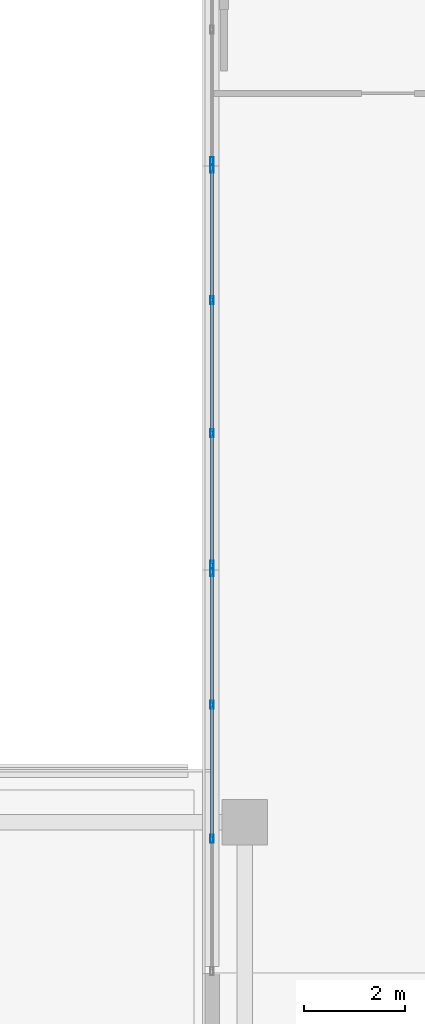
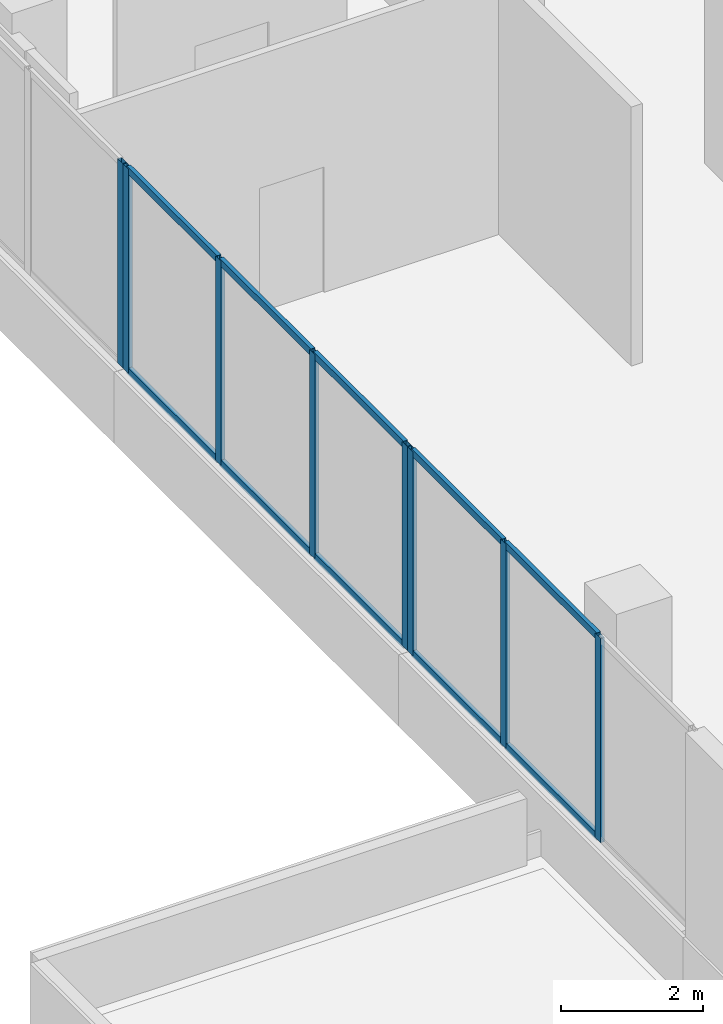
# One storey, part 70 of 168: 18 members, 3 elements without a shape of their own.
"""IFC4 building model written with IfcOpenShell, lengths in metres."""

from ifc_helpers import new_model, si_unit, direction, frame, origin, origin_2d, place, context, subcontext, project, spatial, hollow_rectangle, extrude, material, material_profile, profile_set, type_object, element, aggregate, save


model = new_model("IFC4")

# Units and contexts
model_context = context("Model", 3, precision=1e-05, world=origin(), true_north=direction((0.0, 1.0)))
body_context = subcontext(model_context, "Body", "Model", "MODEL_VIEW")
ifc_project = project(units=[si_unit("LENGTHUNIT", "METRE"), si_unit("AREAUNIT", "SQUARE_METRE"), si_unit("VOLUMEUNIT", "CUBIC_METRE"), si_unit("PLANEANGLEUNIT", "RADIAN"), si_unit("MASSUNIT", "GRAM", prefix="KILO")], contexts=[model_context])

# Site, building, storey
site_placement = place(None, origin())
site = spatial("IfcSite", under=ifc_project, at=site_placement, CompositionType="ELEMENT")
building_placement = place(site_placement, origin())
building = spatial("IfcBuilding", under=site, at=building_placement, Name="Selatvlak General Hospital", CompositionType="ELEMENT")
storey_placement = place(building_placement, frame((0.0, 0.0, 5.39990234375)))
storey = spatial("IfcBuildingStorey", under=building, at=storey_placement, Name="L01", CompositionType="ELEMENT", Elevation=5.39990234375)

# Curtain wall, members
ifc_material_1 = material(Name="Solar-control Low-E double glazing", Category="glass")
curtain_wall_type_1 = type_object("IfcCurtainWallType", Name="CW-CW-01", PredefinedType="USERDEFINED", material=ifc_material_1)
curtain_wall_1_placement = place(storey_placement, origin())
curtain_wall_1 = element("IfcCurtainWall", 1, at=curtain_wall_1_placement, inside=storey, type_object=curtain_wall_type_1, Name="Glazed facade curtain wall CW-L01-0108", ObjectType="UNITISED CURTAIN WALL", PredefinedType="USERDEFINED")
ifc_material_2 = material(Name="Dark anodised aluminium mullion", Category="aluminium")
ifc_material_profile_1 = material_profile(ifc_material_2, hollow_rectangle(XDim=0.06494140625, YDim=0.159912109375, WallThickness=0.00390625, at=origin_2d()), Name="AL-MUL 65x160x4")
ifc_profile_set_1 = profile_set([ifc_material_profile_1], Name="Dark anodised aluminium mullion")
member_type_1 = type_object("IfcMemberType", Name="CWM-01", PredefinedType="MULLION", material=ifc_profile_set_1)
member_1_placement = place(storey_placement, frame((14.39990234375, 90.670654296875, 0.940185546875), z_axis=(0.0, 0.0, 1.0), x_axis=(-1.0, 0.0, 0.0)))
member_1 = element("IfcMember", 2, at=member_1_placement, type_object=member_type_1, Name="CW-01 mullion 2", PredefinedType="MULLION", context=body_context, shape_type="SweptSolid", body=[
    extrude(hollow_rectangle(XDim=0.06494140625, YDim=0.159912109375, WallThickness=0.00390625, at=origin_2d()), origin(), (0.0, 0.0, 1.0), 3.5048828125),
])
member_2_placement = place(storey_placement, frame((14.39990234375, 93.327392578125, 0.940185546875), z_axis=(0.0, 0.0, 1.0), x_axis=(-1.0, 0.0, 0.0)))
member_2 = element("IfcMember", 3, at=member_2_placement, type_object=member_type_1, Name="CW-01 mullion 3", PredefinedType="MULLION", context=body_context, shape_type="SweptSolid", body=[
    extrude(hollow_rectangle(XDim=0.06494140625, YDim=0.159912109375, WallThickness=0.00390625, at=origin_2d()), origin(), (0.0, 0.0, 1.0), 3.5048828125),
])
member_3_placement = place(storey_placement, frame((14.39990234375, 95.951416015625, 0.940185546875), z_axis=(0.0, 0.0, 1.0), x_axis=(-1.0, 0.0, 0.0)))
member_3 = element("IfcMember", 4, at=member_3_placement, type_object=member_type_1, Name="CW-01 mullion 4", PredefinedType="MULLION", context=body_context, shape_type="SweptSolid", body=[
    extrude(hollow_rectangle(XDim=0.06494140625, YDim=0.159912109375, WallThickness=0.00390625, at=origin_2d()), origin(), (0.0, 0.0, 1.0), 3.5048828125),
])

curtain_wall_type_2 = type_object("IfcCurtainWallType", Name="CW-CW-02", PredefinedType="USERDEFINED", material=ifc_material_1)
curtain_wall_2_placement = place(storey_placement, origin())
curtain_wall_2 = element("IfcCurtainWall", 5, at=curtain_wall_2_placement, inside=storey, type_object=curtain_wall_type_2, Name="Glazed facade curtain wall CW-L01-0109", ObjectType="UNITISED CURTAIN WALL", PredefinedType="USERDEFINED")
member_4_placement = place(storey_placement, frame((14.39990234375, 96.096435546875, 0.940185546875), z_axis=(0.0, 0.0, 1.0), x_axis=(-1.0, 0.0, 0.0)))
member_4 = element("IfcMember", 6, at=member_4_placement, type_object=member_type_1, Name="CW-02 mullion 1", PredefinedType="MULLION", context=body_context, shape_type="SweptSolid", body=[
    extrude(hollow_rectangle(XDim=0.06494140625, YDim=0.159912109375, WallThickness=0.00390625, at=origin_2d()), origin(), (0.0, 0.0, 1.0), 3.5048828125),
])
member_5_placement = place(storey_placement, frame((14.39990234375, 98.7041015625, 0.940185546875), z_axis=(0.0, 0.0, 1.0), x_axis=(-1.0, 0.0, 0.0)))
member_5 = element("IfcMember", 7, at=member_5_placement, type_object=member_type_1, Name="CW-02 mullion 2", PredefinedType="MULLION", context=body_context, shape_type="SweptSolid", body=[
    extrude(hollow_rectangle(XDim=0.06494140625, YDim=0.159912109375, WallThickness=0.00390625, at=origin_2d()), origin(), (0.0, 0.0, 1.0), 3.5048828125),
])
member_6_placement = place(storey_placement, frame((14.39990234375, 101.343994140625, 0.940185546875), z_axis=(0.0, 0.0, 1.0), x_axis=(-1.0, 0.0, 0.0)))
member_6 = element("IfcMember", 8, at=member_6_placement, type_object=member_type_1, Name="CW-02 mullion 3", PredefinedType="MULLION", context=body_context, shape_type="SweptSolid", body=[
    extrude(hollow_rectangle(XDim=0.06494140625, YDim=0.159912109375, WallThickness=0.00390625, at=origin_2d()), origin(), (0.0, 0.0, 1.0), 3.5048828125),
])
member_7_placement = place(storey_placement, frame((14.39990234375, 103.951416015625, 0.940185546875), z_axis=(0.0, 0.0, 1.0), x_axis=(-1.0, 0.0, 0.0)))
member_7 = element("IfcMember", 9, at=member_7_placement, type_object=member_type_1, Name="CW-02 mullion 4", PredefinedType="MULLION", context=body_context, shape_type="SweptSolid", body=[
    extrude(hollow_rectangle(XDim=0.06494140625, YDim=0.159912109375, WallThickness=0.00390625, at=origin_2d()), origin(), (0.0, 0.0, 1.0), 3.5048828125),
])

# Curtain wall, member
curtain_wall_3_placement = place(storey_placement, origin())
curtain_wall_3 = element("IfcCurtainWall", 10, at=curtain_wall_3_placement, inside=storey, type_object=curtain_wall_type_1, Name="Glazed facade curtain wall CW-L01-0110", ObjectType="UNITISED CURTAIN WALL", PredefinedType="USERDEFINED")
member_8_placement = place(storey_placement, frame((14.39990234375, 104.096435546875, 0.940185546875), z_axis=(0.0, 0.0, 1.0), x_axis=(-1.0, 0.0, 0.0)))
member_8 = element("IfcMember", 11, at=member_8_placement, type_object=member_type_1, Name="CW-01 mullion 1", PredefinedType="MULLION", context=body_context, shape_type="SweptSolid", body=[
    extrude(hollow_rectangle(XDim=0.06494140625, YDim=0.159912109375, WallThickness=0.00390625, at=origin_2d()), origin(), (0.0, 0.0, 1.0), 3.5048828125),
])
aggregate(curtain_wall_3, [member_8])

# Member
ifc_material_profile_2 = material_profile(ifc_material_2, hollow_rectangle(XDim=0.06494140625, YDim=0.1201171875, WallThickness=0.00390625, at=origin_2d()), Name="AL-TRN 65x120x4")
ifc_profile_set_2 = profile_set([ifc_material_profile_2], Name="Dark anodised aluminium mullion")
member_type_2 = type_object("IfcMemberType", Name="CWT-01", PredefinedType="USERDEFINED", material=ifc_profile_set_2)
member_9_placement = place(storey_placement, frame((14.39990234375, 90.703125, 0.97265625), z_axis=(0.0, 1.0, 0.0), x_axis=(-1.0, 0.0, 0.0)))
member_9 = element("IfcMember", 12, at=member_9_placement, type_object=member_type_2, Name="CW-01 transom 2.1", ObjectType="TRANSOM", PredefinedType="USERDEFINED", context=body_context, shape_type="SweptSolid", body=[
    extrude(hollow_rectangle(XDim=0.06494140625, YDim=0.1201171875, WallThickness=0.00390625, at=origin_2d()), origin(), (0.0, 0.0, 1.0), 2.591796875),
])

member_10_placement = place(storey_placement, frame((14.39990234375, 90.703125, 4.41259765625), z_axis=(0.0, 1.0, 0.0), x_axis=(-1.0, 0.0, 0.0)))
member_10 = element("IfcMember", 13, at=member_10_placement, type_object=member_type_2, Name="CW-01 transom 2.2", ObjectType="TRANSOM", PredefinedType="USERDEFINED", context=body_context, shape_type="SweptSolid", body=[
    extrude(hollow_rectangle(XDim=0.06494140625, YDim=0.1201171875, WallThickness=0.00390625, at=origin_2d()), origin(), (0.0, 0.0, 1.0), 2.591796875),
])

member_11_placement = place(storey_placement, frame((14.39990234375, 93.35986328125, 0.97265625), z_axis=(0.0, 1.0, 0.0), x_axis=(-1.0, 0.0, 0.0)))
member_11 = element("IfcMember", 14, at=member_11_placement, type_object=member_type_2, Name="CW-01 transom 3.1", ObjectType="TRANSOM", PredefinedType="USERDEFINED", context=body_context, shape_type="SweptSolid", body=[
    extrude(hollow_rectangle(XDim=0.06494140625, YDim=0.1201171875, WallThickness=0.00390625, at=origin_2d()), origin(), (0.0, 0.0, 1.0), 2.55908203125),
])

member_12_placement = place(storey_placement, frame((14.39990234375, 93.35986328125, 4.41259765625), z_axis=(0.0, 1.0, 0.0), x_axis=(-1.0, 0.0, 0.0)))
member_12 = element("IfcMember", 15, at=member_12_placement, type_object=member_type_2, Name="CW-01 transom 3.2", ObjectType="TRANSOM", PredefinedType="USERDEFINED", context=body_context, shape_type="SweptSolid", body=[
    extrude(hollow_rectangle(XDim=0.06494140625, YDim=0.1201171875, WallThickness=0.00390625, at=origin_2d()), origin(), (0.0, 0.0, 1.0), 2.55908203125),
])

aggregate(curtain_wall_1, [member_1, member_2, member_3, member_9, member_10, member_11, member_12])

member_13_placement = place(storey_placement, frame((14.39990234375, 96.12890625, 0.97265625), z_axis=(0.0, 1.0, 0.0), x_axis=(-1.0, 0.0, 0.0)))
member_13 = element("IfcMember", 16, at=member_13_placement, type_object=member_type_2, Name="CW-02 transom 1.1", ObjectType="TRANSOM", PredefinedType="USERDEFINED", context=body_context, shape_type="SweptSolid", body=[
    extrude(hollow_rectangle(XDim=0.06494140625, YDim=0.1201171875, WallThickness=0.00390625, at=origin_2d()), origin(), (0.0, 0.0, 1.0), 2.54248046875),
])

member_14_placement = place(storey_placement, frame((14.39990234375, 96.12890625, 4.41259765625), z_axis=(0.0, 1.0, 0.0), x_axis=(-1.0, 0.0, 0.0)))
member_14 = element("IfcMember", 17, at=member_14_placement, type_object=member_type_2, Name="CW-02 transom 1.2", ObjectType="TRANSOM", PredefinedType="USERDEFINED", context=body_context, shape_type="SweptSolid", body=[
    extrude(hollow_rectangle(XDim=0.06494140625, YDim=0.1201171875, WallThickness=0.00390625, at=origin_2d()), origin(), (0.0, 0.0, 1.0), 2.54248046875),
])

member_15_placement = place(storey_placement, frame((14.39990234375, 98.736572265625, 0.97265625), z_axis=(0.0, 1.0, 0.0), x_axis=(-1.0, 0.0, 0.0)))
member_15 = element("IfcMember", 18, at=member_15_placement, type_object=member_type_2, Name="CW-02 transom 2.1", ObjectType="TRANSOM", PredefinedType="USERDEFINED", context=body_context, shape_type="SweptSolid", body=[
    extrude(hollow_rectangle(XDim=0.06494140625, YDim=0.1201171875, WallThickness=0.00390625, at=origin_2d()), origin(), (0.0, 0.0, 1.0), 2.574951171875),
])

member_16_placement = place(storey_placement, frame((14.39990234375, 98.736572265625, 4.41259765625), z_axis=(0.0, 1.0, 0.0), x_axis=(-1.0, 0.0, 0.0)))
member_16 = element("IfcMember", 19, at=member_16_placement, type_object=member_type_2, Name="CW-02 transom 2.2", ObjectType="TRANSOM", PredefinedType="USERDEFINED", context=body_context, shape_type="SweptSolid", body=[
    extrude(hollow_rectangle(XDim=0.06494140625, YDim=0.1201171875, WallThickness=0.00390625, at=origin_2d()), origin(), (0.0, 0.0, 1.0), 2.574951171875),
])

member_17_placement = place(storey_placement, frame((14.39990234375, 101.37646484375, 0.97265625), z_axis=(0.0, 1.0, 0.0), x_axis=(-1.0, 0.0, 0.0)))
member_17 = element("IfcMember", 20, at=member_17_placement, type_object=member_type_2, Name="CW-02 transom 3.1", ObjectType="TRANSOM", PredefinedType="USERDEFINED", context=body_context, shape_type="SweptSolid", body=[
    extrude(hollow_rectangle(XDim=0.06494140625, YDim=0.1201171875, WallThickness=0.00390625, at=origin_2d()), origin(), (0.0, 0.0, 1.0), 2.54248046875),
])

member_18_placement = place(storey_placement, frame((14.39990234375, 101.37646484375, 4.41259765625), z_axis=(0.0, 1.0, 0.0), x_axis=(-1.0, 0.0, 0.0)))
member_18 = element("IfcMember", 21, at=member_18_placement, type_object=member_type_2, Name="CW-02 transom 3.2", ObjectType="TRANSOM", PredefinedType="USERDEFINED", context=body_context, shape_type="SweptSolid", body=[
    extrude(hollow_rectangle(XDim=0.06494140625, YDim=0.1201171875, WallThickness=0.00390625, at=origin_2d()), origin(), (0.0, 0.0, 1.0), 2.54248046875),
])

aggregate(curtain_wall_2, [member_4, member_5, member_6, member_7, member_13, member_14, member_15, member_16, member_17, member_18])

save(model, "model.ifc")
